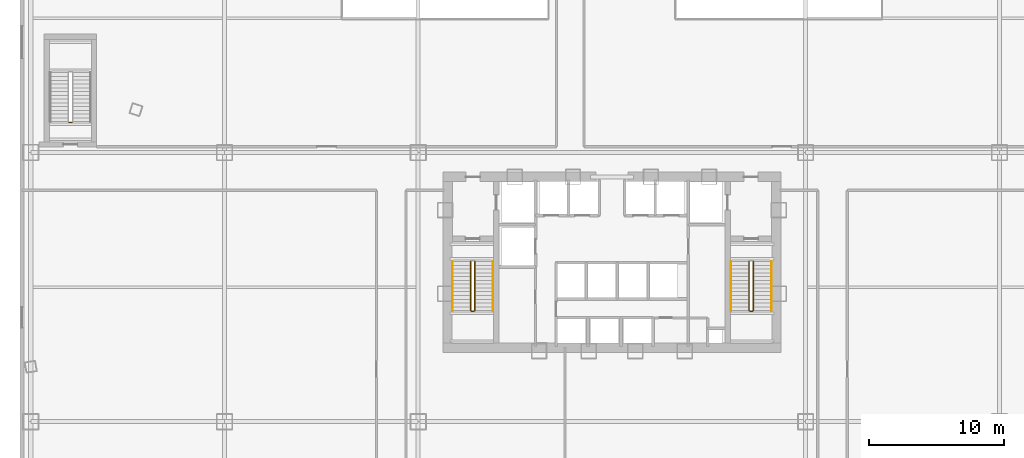
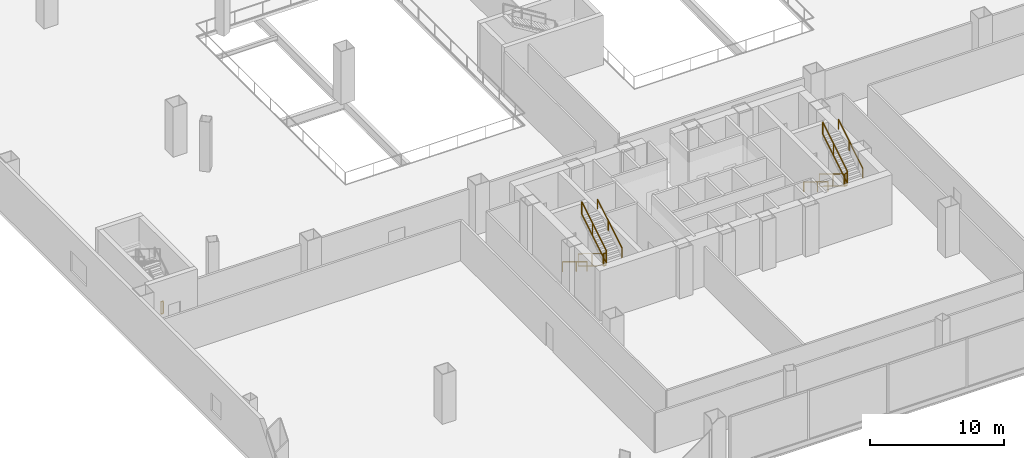
# One storey, part 38 of 42: 11 railings.
"""IFC4 building model written with IfcOpenShell, lengths in metres."""

from ifc_helpers import new_model, si_unit, direction, frame, origin, origin_2d, place, context, subcontext, project, spatial, rectangle, extrude, material, type_object, element, save


model = new_model("IFC4")

# Units and contexts
model_context = context("Model", 3, precision=1e-05, world=origin(), true_north=direction((0.0, 1.0)))
body_context = subcontext(model_context, "Body", "Model", "MODEL_VIEW")
ifc_project = project(units=[si_unit("LENGTHUNIT", "METRE"), si_unit("AREAUNIT", "SQUARE_METRE"), si_unit("VOLUMEUNIT", "CUBIC_METRE"), si_unit("PLANEANGLEUNIT", "RADIAN"), si_unit("MASSUNIT", "GRAM", prefix="KILO"), si_unit("THERMODYNAMICTEMPERATUREUNIT", "KELVIN"), si_unit("POWERUNIT", "WATT")], contexts=[model_context])

# Site, building, storey
site_placement = place(None, origin())
site = spatial("IfcSite", under=ifc_project, at=site_placement, CompositionType="ELEMENT")
building_placement = place(site_placement, origin())
building = spatial("IfcBuilding", under=site, at=building_placement, Name="Yunzhuo Pagoda Commons", CompositionType="ELEMENT")
storey_placement = place(building_placement, frame((0.0, 0.0, 4.800048828125)))
storey = spatial("IfcBuildingStorey", under=building, at=storey_placement, Name="L02", CompositionType="ELEMENT", Elevation=4.800048828125)

# Railings
ifc_material = material(Name="Anodized aluminium 6063-T6", Category="aluminium")
railing_type_1 = type_object("IfcRailingType", Name="GR-PS3 Podium Well Guardrail 1150", PredefinedType="GUARDRAIL", material=ifc_material)
railing_1_placement = place(storey_placement, frame((7.85009765625, 44.25, 0.0)))
element("IfcRailing", 1, at=railing_1_placement, inside=storey, type_object=railing_type_1, Name="L02 PS3 stair guard 4", PredefinedType="GUARDRAIL", context=body_context, shape_type="SweptSolid", body=[
    extrude(rectangle(XDim=0.048095703125, YDim=0.048095703125, at=origin_2d()), frame((0.0, 0.0, 1.1259765625), z_axis=(-1.0, 0.0, 0.0), x_axis=(0.0, -1.0, 0.0)), (0.0, 0.0, 1.0), 0.2001953125),
    extrude(rectangle(XDim=0.048095703125, YDim=0.048095703125, at=origin_2d()), frame((0.0, 0.0, 0.02392578125), z_axis=(-1.0, 0.0, 0.0), x_axis=(0.0, -1.0, 0.0)), (0.0, 0.0, 1.0), 0.2001953125),
    extrude(rectangle(XDim=0.0419921875, YDim=0.0419921875, at=origin_2d()), origin(), (0.0, 0.0, 1.0), 1.101806640625),
    extrude(rectangle(XDim=0.0419921875, YDim=0.0419921875, at=origin_2d()), frame((-0.2001953125, 0.0, 0.0)), (0.0, 0.0, 1.0), 1.101806640625),
])
railing_type_2 = type_object("IfcRailingType", Name="GR-ST1 Stair Well Guardrail 1150", PredefinedType="GUARDRAIL", material=ifc_material)
railing_2_placement = place(storey_placement, frame((37.5, 33.89990234375, 0.17138671875)))
element("IfcRailing", 2, at=railing_2_placement, inside=storey, type_object=railing_type_2, Name="L02 ST1 stair guard 1", PredefinedType="GUARDRAIL", context=body_context, shape_type="SweptSolid", body=[
    extrude(rectangle(XDim=0.048095703125, YDim=0.048095703125, at=origin_2d()), frame((0.0, 0.0, 1.1259765625), z_axis=(0.0, -0.852850264322, 0.5221555579), x_axis=(1.0, 0.0, 0.0)), (0.0, 0.0, 1.0), 4.267822265625),
    extrude(rectangle(XDim=0.048095703125, YDim=0.048095703125, at=origin_2d()), frame((0.0, 0.0, 0.02392578125), z_axis=(0.0, -0.852850264322, 0.5221555579), x_axis=(1.0, 0.0, 0.0)), (0.0, 0.0, 1.0), 4.267822265625),
    extrude(rectangle(XDim=0.0419921875, YDim=0.0419921875, at=origin_2d()), origin(), (0.0, 0.0, 1.0), 1.101806640625),
    extrude(rectangle(XDim=0.0419921875, YDim=0.0419921875, at=origin_2d()), frame((0.0, -2.046875, 1.253173828125)), (0.0, 0.0, 1.0), 1.101806640625),
    extrude(rectangle(XDim=0.0419921875, YDim=0.0419921875, at=origin_2d()), frame((0.0, -3.639892578125, 2.228515625)), (0.0, 0.0, 1.0), 1.101806640625),
])
railing_3_placement = place(storey_placement, frame((37.550048828125, 30.2099609375, 2.39990234375)))
element("IfcRailing", 3, at=railing_3_placement, inside=storey, type_object=railing_type_2, Name="L02 ST1 stair guard 2", PredefinedType="GUARDRAIL", context=body_context, shape_type="SweptSolid", body=[
    extrude(rectangle(XDim=0.048095703125, YDim=0.048095703125, at=origin_2d()), frame((0.0, 0.0, 1.1259765625), z_axis=(1.0, 0.0, 0.0), x_axis=(0.0, 1.0, 0.0)), (0.0, 0.0, 1.0), 0.199951171875),
    extrude(rectangle(XDim=0.048095703125, YDim=0.048095703125, at=origin_2d()), frame((0.0, 0.0, 0.02392578125), z_axis=(1.0, 0.0, 0.0), x_axis=(0.0, 1.0, 0.0)), (0.0, 0.0, 1.0), 0.199951171875),
    extrude(rectangle(XDim=0.0419921875, YDim=0.0419921875, at=origin_2d()), origin(), (0.0, 0.0, 1.0), 1.101806640625),
    extrude(rectangle(XDim=0.0419921875, YDim=0.0419921875, at=origin_2d()), frame((0.199951171875, 0.0, 0.0)), (0.0, 0.0, 1.0), 1.101806640625),
])
railing_4_placement = place(storey_placement, frame((37.800048828125, 30.260009765625, 2.5712890625)))
element("IfcRailing", 4, at=railing_4_placement, inside=storey, type_object=railing_type_2, Name="L02 ST1 stair guard 3", PredefinedType="GUARDRAIL", context=body_context, shape_type="SweptSolid", body=[
    extrude(rectangle(XDim=0.048095703125, YDim=0.048095703125, at=origin_2d()), frame((0.0, 0.0, 1.1259765625), z_axis=(0.0, 0.852824790078, 0.522197163366), x_axis=(-1.0, 0.0, 0.0)), (0.0, 0.0, 1.0), 4.26806640625),
    extrude(rectangle(XDim=0.048095703125, YDim=0.048095703125, at=origin_2d()), frame((0.0, 0.0, 0.02392578125), z_axis=(0.0, 0.852824790078, 0.522197163366), x_axis=(-1.0, 0.0, 0.0)), (0.0, 0.0, 1.0), 4.26806640625),
    extrude(rectangle(XDim=0.0419921875, YDim=0.0419921875, at=origin_2d()), origin(), (0.0, 0.0, 1.0), 1.101806640625),
    extrude(rectangle(XDim=0.0419921875, YDim=0.0419921875, at=origin_2d()), frame((0.0, 2.046875, 1.253173828125)), (0.0, 0.0, 1.0), 1.101806640625),
    extrude(rectangle(XDim=0.0419921875, YDim=0.0419921875, at=origin_2d()), frame((0.0, 3.639892578125, 2.228759765625)), (0.0, 0.0, 1.0), 1.101806640625),
])
railing_type_3 = type_object("IfcRailingType", Name="GR-ST2 Stair Well Guardrail 1160", PredefinedType="GUARDRAIL", material=ifc_material)
railing_5_placement = place(storey_placement, frame((58.199951171875, 33.89990234375, 0.17138671875)))
element("IfcRailing", 5, at=railing_5_placement, inside=storey, type_object=railing_type_3, Name="L02 ST2 stair guard 1", PredefinedType="GUARDRAIL", context=body_context, shape_type="SweptSolid", body=[
    extrude(rectangle(XDim=0.048095703125, YDim=0.048095703125, at=origin_2d()), frame((0.0, 0.0, 1.1259765625), z_axis=(0.0, -0.852850264322, 0.5221555579), x_axis=(1.0, 0.0, 0.0)), (0.0, 0.0, 1.0), 4.267822265625),
    extrude(rectangle(XDim=0.048095703125, YDim=0.048095703125, at=origin_2d()), frame((0.0, 0.0, 0.02392578125), z_axis=(0.0, -0.852850264322, 0.5221555579), x_axis=(1.0, 0.0, 0.0)), (0.0, 0.0, 1.0), 4.267822265625),
    extrude(rectangle(XDim=0.0419921875, YDim=0.0419921875, at=origin_2d()), origin(), (0.0, 0.0, 1.0), 1.101806640625),
    extrude(rectangle(XDim=0.0419921875, YDim=0.0419921875, at=origin_2d()), frame((0.0, -2.046875, 1.253173828125)), (0.0, 0.0, 1.0), 1.101806640625),
    extrude(rectangle(XDim=0.0419921875, YDim=0.0419921875, at=origin_2d()), frame((0.0, -3.639892578125, 2.228515625)), (0.0, 0.0, 1.0), 1.101806640625),
])
railing_6_placement = place(storey_placement, frame((58.25, 30.2099609375, 2.39990234375)))
element("IfcRailing", 6, at=railing_6_placement, inside=storey, type_object=railing_type_3, Name="L02 ST2 stair guard 2", PredefinedType="GUARDRAIL", context=body_context, shape_type="SweptSolid", body=[
    extrude(rectangle(XDim=0.048095703125, YDim=0.048095703125, at=origin_2d()), frame((0.0, 0.0, 1.1259765625), z_axis=(1.0, 0.0, 0.0), x_axis=(0.0, 1.0, 0.0)), (0.0, 0.0, 1.0), 0.199951171875),
    extrude(rectangle(XDim=0.048095703125, YDim=0.048095703125, at=origin_2d()), frame((0.0, 0.0, 0.02392578125), z_axis=(1.0, 0.0, 0.0), x_axis=(0.0, 1.0, 0.0)), (0.0, 0.0, 1.0), 0.199951171875),
    extrude(rectangle(XDim=0.0419921875, YDim=0.0419921875, at=origin_2d()), origin(), (0.0, 0.0, 1.0), 1.101806640625),
    extrude(rectangle(XDim=0.0419921875, YDim=0.0419921875, at=origin_2d()), frame((0.199951171875, 0.0, 0.0)), (0.0, 0.0, 1.0), 1.101806640625),
])
railing_7_placement = place(storey_placement, frame((58.5, 30.260009765625, 2.5712890625)))
element("IfcRailing", 7, at=railing_7_placement, inside=storey, type_object=railing_type_3, Name="L02 ST2 stair guard 3", PredefinedType="GUARDRAIL", context=body_context, shape_type="SweptSolid", body=[
    extrude(rectangle(XDim=0.048095703125, YDim=0.048095703125, at=origin_2d()), frame((0.0, 0.0, 1.1259765625), z_axis=(0.0, 0.852824790078, 0.522197163366), x_axis=(-1.0, 0.0, 0.0)), (0.0, 0.0, 1.0), 4.26806640625),
    extrude(rectangle(XDim=0.048095703125, YDim=0.048095703125, at=origin_2d()), frame((0.0, 0.0, 0.02392578125), z_axis=(0.0, 0.852824790078, 0.522197163366), x_axis=(-1.0, 0.0, 0.0)), (0.0, 0.0, 1.0), 4.26806640625),
    extrude(rectangle(XDim=0.0419921875, YDim=0.0419921875, at=origin_2d()), origin(), (0.0, 0.0, 1.0), 1.101806640625),
    extrude(rectangle(XDim=0.0419921875, YDim=0.0419921875, at=origin_2d()), frame((0.0, 2.046875, 1.253173828125)), (0.0, 0.0, 1.0), 1.101806640625),
    extrude(rectangle(XDim=0.0419921875, YDim=0.0419921875, at=origin_2d()), frame((0.0, 3.639892578125, 2.228759765625)), (0.0, 0.0, 1.0), 1.101806640625),
])
railing_type_4 = type_object("IfcRailingType", Name="HR-ST1 Stair Handrail 900", PredefinedType="HANDRAIL", material=ifc_material)
railing_8_placement = place(storey_placement, frame((36.14990234375, 33.89990234375, 0.17138671875)))
element("IfcRailing", 8, at=railing_8_placement, inside=storey, type_object=railing_type_4, Name="L02 ST1 stair handrail 1", PredefinedType="HANDRAIL", context=body_context, shape_type="SweptSolid", body=[
    extrude(rectangle(XDim=0.048095703125, YDim=0.048095703125, at=origin_2d()), frame((0.0, 0.0, 0.8759765625), z_axis=(0.0, -0.852850264322, 0.5221555579), x_axis=(1.0, 0.0, 0.0)), (0.0, 0.0, 1.0), 4.267822265625),
    extrude(rectangle(XDim=0.0419921875, YDim=0.0419921875, at=origin_2d()), origin(), (0.0, 0.0, 1.0), 0.851806640625),
    extrude(rectangle(XDim=0.0419921875, YDim=0.0419921875, at=origin_2d()), frame((0.0, -2.046875, 1.253173828125)), (0.0, 0.0, 1.0), 0.851806640625),
    extrude(rectangle(XDim=0.0419921875, YDim=0.0419921875, at=origin_2d()), frame((0.0, -3.639892578125, 2.228515625)), (0.0, 0.0, 1.0), 0.851806640625),
])
railing_9_placement = place(storey_placement, frame((39.14990234375, 30.260009765625, 2.5712890625)))
element("IfcRailing", 9, at=railing_9_placement, inside=storey, type_object=railing_type_4, Name="L02 ST1 stair handrail 2", PredefinedType="HANDRAIL", context=body_context, shape_type="SweptSolid", body=[
    extrude(rectangle(XDim=0.048095703125, YDim=0.048095703125, at=origin_2d()), frame((0.0, 0.0, 0.8759765625), z_axis=(0.0, 0.852824790078, 0.522197163366), x_axis=(-1.0, 0.0, 0.0)), (0.0, 0.0, 1.0), 4.26806640625),
    extrude(rectangle(XDim=0.0419921875, YDim=0.0419921875, at=origin_2d()), origin(), (0.0, 0.0, 1.0), 0.851806640625),
    extrude(rectangle(XDim=0.0419921875, YDim=0.0419921875, at=origin_2d()), frame((0.0, 2.046875, 1.253173828125)), (0.0, 0.0, 1.0), 0.851806640625),
    extrude(rectangle(XDim=0.0419921875, YDim=0.0419921875, at=origin_2d()), frame((0.0, 3.639892578125, 2.228759765625)), (0.0, 0.0, 1.0), 0.851806640625),
])
railing_type_5 = type_object("IfcRailingType", Name="HR-ST2 Stair Handrail 900", PredefinedType="HANDRAIL", material=ifc_material)
railing_10_placement = place(storey_placement, frame((56.85009765625, 33.89990234375, 0.17138671875)))
element("IfcRailing", 10, at=railing_10_placement, inside=storey, type_object=railing_type_5, Name="L02 ST2 stair handrail 1", PredefinedType="HANDRAIL", context=body_context, shape_type="SweptSolid", body=[
    extrude(rectangle(XDim=0.048095703125, YDim=0.048095703125, at=origin_2d()), frame((0.0, 0.0, 0.8759765625), z_axis=(0.0, -0.852850264322, 0.5221555579), x_axis=(1.0, 0.0, 0.0)), (0.0, 0.0, 1.0), 4.267822265625),
    extrude(rectangle(XDim=0.0419921875, YDim=0.0419921875, at=origin_2d()), origin(), (0.0, 0.0, 1.0), 0.851806640625),
    extrude(rectangle(XDim=0.0419921875, YDim=0.0419921875, at=origin_2d()), frame((0.0, -2.046875, 1.253173828125)), (0.0, 0.0, 1.0), 0.851806640625),
    extrude(rectangle(XDim=0.0419921875, YDim=0.0419921875, at=origin_2d()), frame((0.0, -3.639892578125, 2.228515625)), (0.0, 0.0, 1.0), 0.851806640625),
])
railing_11_placement = place(storey_placement, frame((59.85009765625, 30.260009765625, 2.5712890625)))
element("IfcRailing", 11, at=railing_11_placement, inside=storey, type_object=railing_type_5, Name="L02 ST2 stair handrail 2", PredefinedType="HANDRAIL", context=body_context, shape_type="SweptSolid", body=[
    extrude(rectangle(XDim=0.048095703125, YDim=0.048095703125, at=origin_2d()), frame((0.0, 0.0, 0.8759765625), z_axis=(0.0, 0.852824790078, 0.522197163366), x_axis=(-1.0, 0.0, 0.0)), (0.0, 0.0, 1.0), 4.26806640625),
    extrude(rectangle(XDim=0.0419921875, YDim=0.0419921875, at=origin_2d()), origin(), (0.0, 0.0, 1.0), 0.851806640625),
    extrude(rectangle(XDim=0.0419921875, YDim=0.0419921875, at=origin_2d()), frame((0.0, 2.046875, 1.253173828125)), (0.0, 0.0, 1.0), 0.851806640625),
    extrude(rectangle(XDim=0.0419921875, YDim=0.0419921875, at=origin_2d()), frame((0.0, 3.639892578125, 2.228759765625)), (0.0, 0.0, 1.0), 0.851806640625),
])

save(model, "model.ifc")
